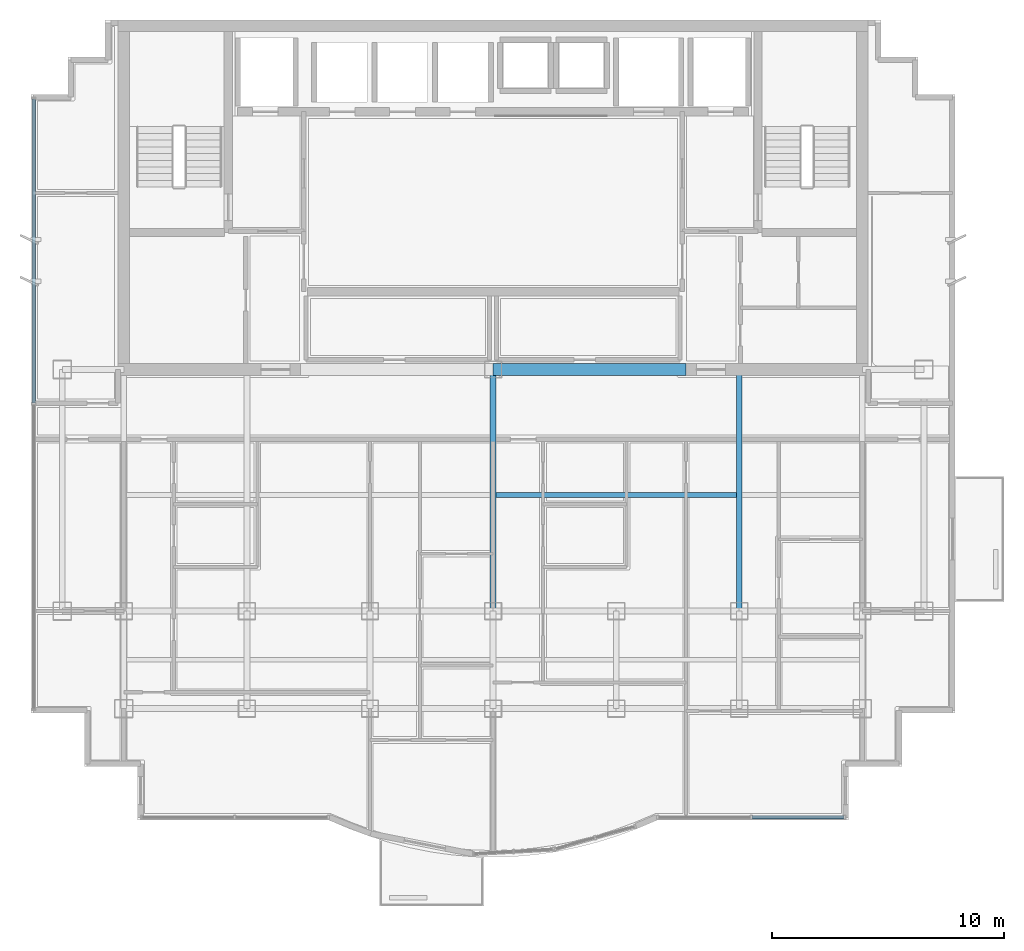
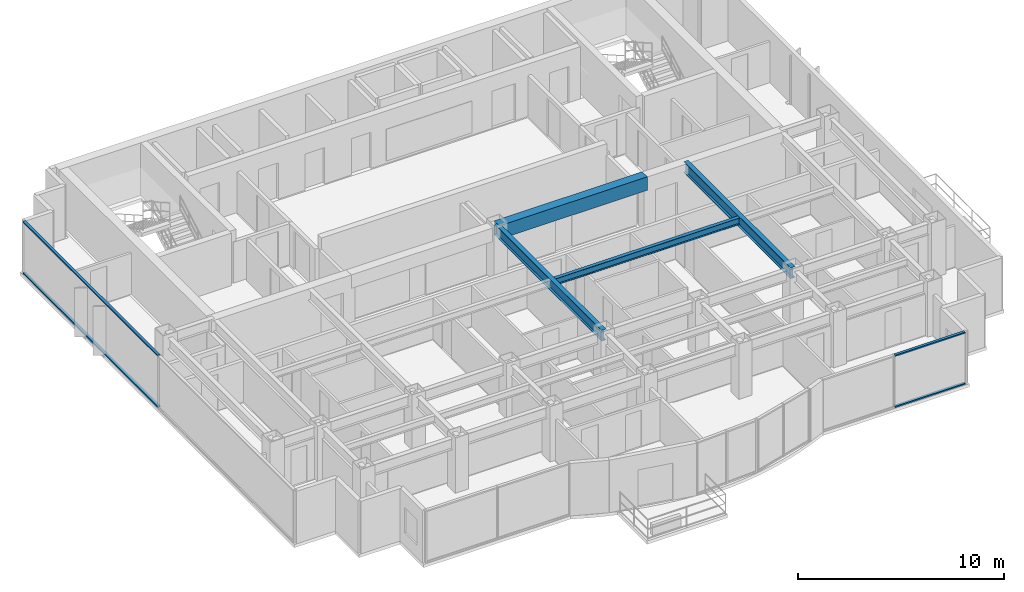
# One storey, part 3 of 11: 4 beams, 4 members, 2 elements without a shape of their own.
"""IFC4 building model written with IfcOpenShell, lengths in metres."""

from ifc_helpers import new_model, si_unit, direction, frame, origin, origin_2d, place, context, subcontext, project, spatial, rectangle, i_section, extrude, source, transform, mapped, material, layer, layer_set, material_profile, profile_set, type_object, element, aggregate, save


model = new_model("IFC4")

# Units and contexts
model_context = context("Model", 3, precision=1e-05, world=origin(), true_north=direction((0.0, 1.0)))
body_context = subcontext(model_context, "Body", "Model", "MODEL_VIEW")
ifc_project = project(units=[si_unit("LENGTHUNIT", "METRE"), si_unit("AREAUNIT", "SQUARE_METRE"), si_unit("VOLUMEUNIT", "CUBIC_METRE"), si_unit("PLANEANGLEUNIT", "RADIAN"), si_unit("MASSUNIT", "GRAM", prefix="KILO")], contexts=[model_context])

# Site, building, storey
site_placement = place(None, origin())
site = spatial("IfcSite", under=ifc_project, at=site_placement, CompositionType="ELEMENT")
building_placement = place(site_placement, origin())
building = spatial("IfcBuilding", under=site, at=building_placement, Name="Qianlan Lanfeng Residences", CompositionType="ELEMENT")
storey_placement = place(building_placement, frame((0.0, 0.0, 226.39990234375)))
storey = spatial("IfcBuildingStorey", under=building, at=storey_placement, Name="L62", CompositionType="ELEMENT", Elevation=226.39990234375)

# Beams
ifc_material_1 = material(Name="Steel SN490B", Category="steel")
ifc_material_profile_1 = material_profile(ifc_material_1, i_section(OverallWidth=0.25, OverallDepth=0.64990234375, WebThickness=0.012939453125, FlangeThickness=0.02197265625, at=origin_2d()), Name="H 650x250x13x22")
ifc_profile_set_1 = profile_set([ifc_material_profile_1], Name="Steel SN490B")
beam_type_1 = type_object("IfcBeamType", Name="G-650", PredefinedType="BEAM", material=ifc_profile_set_1)
for number, where, z_axis, x_axis, name in (
    (1, (26.5, 14.800048828125, 2.78515625), (0.0, 1.0, 0.0), (-1.0, 0.0, 0.0), "Structural beam G-650"),
    (2, (37.10009765625, 14.800048828125, 2.78515625), (0.0, 1.0, 0.0), (-1.0, 0.0, 0.0), "Structural beam G-650"),
):
    element("IfcBeam", number, at=place(storey_placement, frame(where, z_axis=z_axis, x_axis=x_axis)), inside=storey, type_object=beam_type_1, Name=name, PredefinedType="BEAM", context=body_context, shape_type="SweptSolid", body=[
        extrude(i_section(OverallWidth=0.25, OverallDepth=0.64990234375, WebThickness=0.012939453125, FlangeThickness=0.02197265625, at=origin_2d()), origin(), (0.0, 0.0, 1.0), 10.39990234375),
    ])
ifc_material_profile_2 = material_profile(ifc_material_1, i_section(OverallWidth=0.199951171875, OverallDepth=0.39990234375, WebThickness=0.008056640625, FlangeThickness=0.012939453125, at=origin_2d()), Name="H 400x200x8x13")
ifc_profile_set_2 = profile_set([ifc_material_profile_2], Name="Steel SN490B")
beam_type_2 = type_object("IfcBeamType", Name="J-400", PredefinedType="JOIST", material=ifc_profile_set_2)
beam_1_placement = place(storey_placement, frame((26.625, 19.800048828125, 2.91015625), z_axis=(1.0, 0.0, 0.0), x_axis=(0.0, 1.0, 0.0)))
element("IfcBeam", 3, at=beam_1_placement, inside=storey, type_object=beam_type_2, Name="Structural beam J-400", PredefinedType="JOIST", context=body_context, shape_type="SweptSolid", body=[
    extrude(i_section(OverallWidth=0.199951171875, OverallDepth=0.39990234375, WebThickness=0.008056640625, FlangeThickness=0.012939453125, at=origin_2d()), origin(), (0.0, 0.0, 1.0), 10.35009765625),
])
ifc_material_2 = material(Name="Concrete C49", Category="concrete")
ifc_material_profile_3 = material_profile(ifc_material_2, rectangle(XDim=0.5, YDim=0.800048828125, at=origin_2d()), Name="RC 500x800")
ifc_profile_set_3 = profile_set([ifc_material_profile_3], Name="Concrete C49")
beam_type_3 = type_object("IfcBeamType", Name="LB-RC750", PredefinedType="BEAM", material=ifc_profile_set_3)
beam_2_placement = place(storey_placement, frame((26.5, 25.199951171875, 2.710205078125), z_axis=(1.0, 0.0, 0.0), x_axis=(0.0, 1.0, 0.0)))
element("IfcBeam", 4, at=beam_2_placement, inside=storey, type_object=beam_type_3, Name="L62 Core Coupling Beam E", PredefinedType="BEAM", context=body_context, shape_type="SweptSolid", body=[
    extrude(rectangle(XDim=0.5, YDim=0.800048828125, at=origin_2d()), origin(), (0.0, 0.0, 1.0), 8.300048828125),
])

# Curtain wall, members
ifc_material_3 = material(Name="Anodised Bronze Aluminium 6063-T6", Category="aluminium")
ifc_layer = layer(ifc_material_3, 0.219970703125)
ifc_layer_set = layer_set([ifc_layer], Name="Anodised Bronze Aluminium 6063-T6")
curtain_wall_type = type_object("IfcCurtainWallType", Name="CW-05", PredefinedType="NOTDEFINED", material=ifc_layer_set)
curtain_wall_1_placement = place(storey_placement, origin())
curtain_wall_1 = element("IfcCurtainWall", 5, at=curtain_wall_1_placement, inside=storey, type_object=curtain_wall_type, Name="L62 Unitised Curtain Wall CWR-L62-04 (CW-05)", PredefinedType="NOTDEFINED")
ifc_material_profile_4 = material_profile(ifc_material_3, rectangle(XDim=0.074951171875, YDim=0.14990234375, at=origin_2d()), Name="ALU TRANSOM 75x150")
ifc_profile_set_4 = profile_set([ifc_material_profile_4], Name="Anodised Bronze Aluminium 6063-T6")
member_type = type_object("IfcMemberType", Name="CWT-150", PredefinedType="USERDEFINED", material=ifc_profile_set_4)
shared_shape_1 = source(origin(), body_context, "Body", "SweptSolid", [
    extrude(rectangle(XDim=0.074951171875, YDim=0.14990234375, at=origin_2d()), origin(), (0.0, 0.0, 1.0), 3.949462890625),
])
member_1_placement = place(storey_placement, frame((37.655517578125, 5.919921875, 0.03759765625), z_axis=(1.0, 0.0, 0.0), x_axis=(0.0, 0.0, 1.0)))
member_1 = element("IfcMember", 6, at=member_1_placement, type_object=member_type, Name="CWR-L62-04 Transom 2-BOT", ObjectType="TRANSOM", PredefinedType="USERDEFINED", context=body_context, shape_type="MappedRepresentation", body=[
    mapped(shared_shape_1, transform((0.0, 0.0, 0.0), scale=1.0)),
])
member_2_placement = place(storey_placement, frame((37.655517578125, 5.919921875, 3.072509765625), z_axis=(1.0, 0.0, 0.0), x_axis=(0.0, 0.0, 1.0)))
member_2 = element("IfcMember", 7, at=member_2_placement, type_object=member_type, Name="CWR-L62-04 Transom 2-TOP", ObjectType="TRANSOM", PredefinedType="USERDEFINED", context=body_context, shape_type="MappedRepresentation", body=[
    mapped(shared_shape_1, transform((0.0, 0.0, 0.0), scale=1.0)),
])
aggregate(curtain_wall_1, [member_1, member_2])

curtain_wall_2_placement = place(storey_placement, origin())
curtain_wall_2 = element("IfcCurtainWall", 8, at=curtain_wall_2_placement, inside=storey, type_object=curtain_wall_type, Name="L62 Unitised Curtain Wall CWR-L62-05 (CW-05)", PredefinedType="NOTDEFINED")
shared_shape_2 = source(origin(), body_context, "Body", "SweptSolid", [
    extrude(rectangle(XDim=0.074951171875, YDim=0.14990234375, at=origin_2d()), origin(), (0.0, 0.0, 1.0), 13.092529296875),
])
member_3_placement = place(storey_placement, frame((6.719970703125, 36.85498046875, 0.03759765625), z_axis=(0.0, -1.0, 0.0), x_axis=(0.0, 0.0, 1.0)))
member_3 = element("IfcMember", 9, at=member_3_placement, type_object=member_type, Name="CWR-L62-05 Transom 1-BOT", ObjectType="TRANSOM", PredefinedType="USERDEFINED", context=body_context, shape_type="MappedRepresentation", body=[
    mapped(shared_shape_2, transform((0.0, 0.0, 0.0), scale=1.0)),
])
member_4_placement = place(storey_placement, frame((6.719970703125, 36.85498046875, 3.072509765625), z_axis=(0.0, -1.0, 0.0), x_axis=(0.0, 0.0, 1.0)))
member_4 = element("IfcMember", 10, at=member_4_placement, type_object=member_type, Name="CWR-L62-05 Transom 1-TOP", ObjectType="TRANSOM", PredefinedType="USERDEFINED", context=body_context, shape_type="MappedRepresentation", body=[
    mapped(shared_shape_2, transform((0.0, 0.0, 0.0), scale=1.0)),
])
aggregate(curtain_wall_2, [member_3, member_4])

save(model, "model.ifc")
